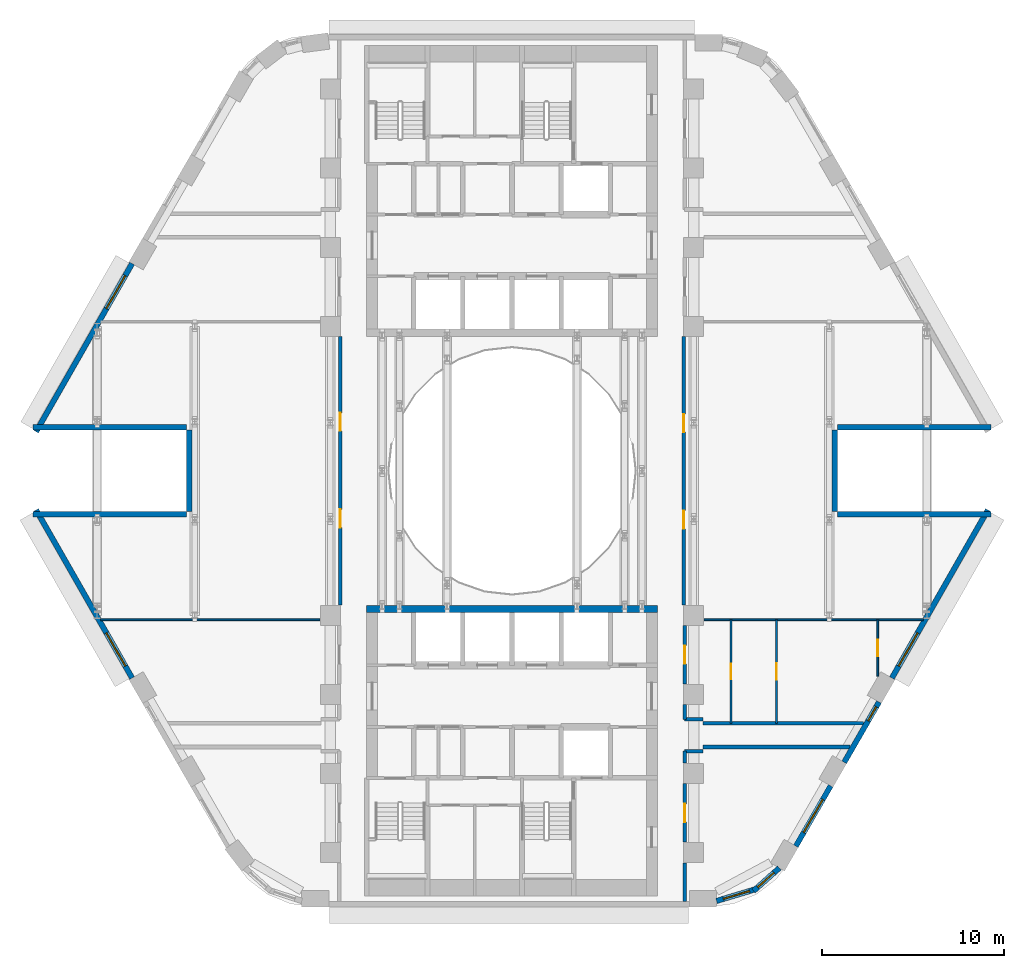
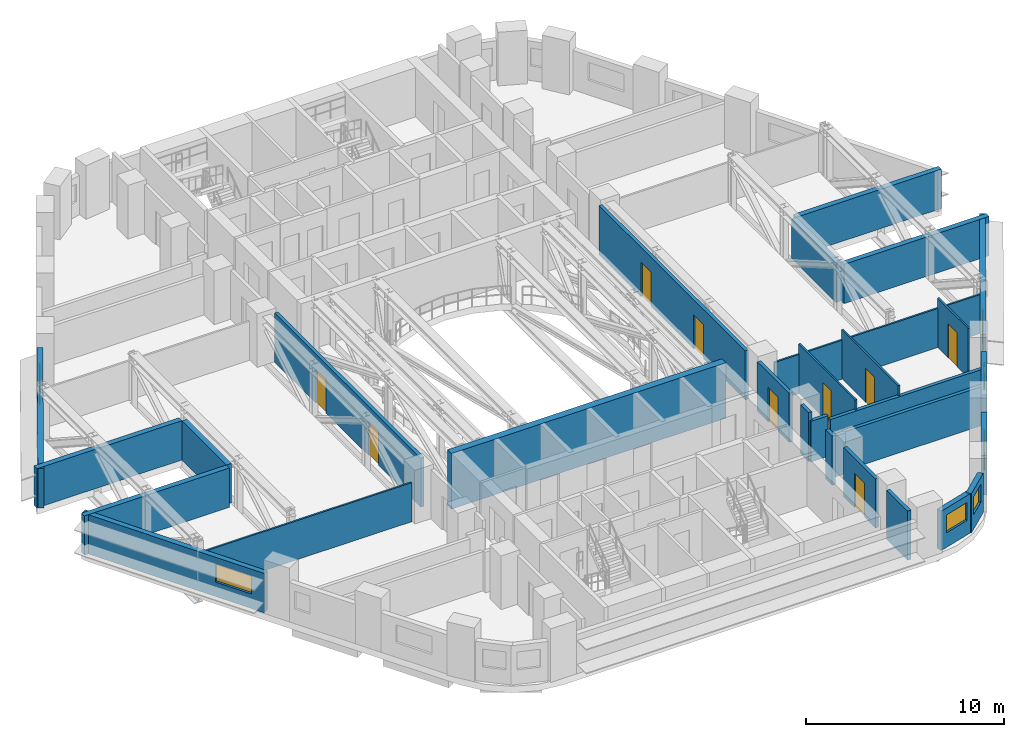
# One storey, part 8 of 18: 30 walls, 9 doors, 7 windows, 16 openings.
"""IFC4 building model written with IfcOpenShell, lengths in metres."""

from ifc_helpers import new_model, si_unit, direction, frame, frame_2d, origin, place, context, subcontext, project, spatial, rectangle, extrude, material, layer, layer_set, type_object, element, fill, save


model = new_model("IFC4")

# Units and contexts
model_context = context("Model", 3, precision=1e-05, world=origin(), true_north=direction((0.0, 1.0)))
body_context = subcontext(model_context, "Body", "Model", "MODEL_VIEW")
ifc_project = project(units=[si_unit("LENGTHUNIT", "METRE"), si_unit("AREAUNIT", "SQUARE_METRE"), si_unit("VOLUMEUNIT", "CUBIC_METRE"), si_unit("PLANEANGLEUNIT", "RADIAN"), si_unit("MASSUNIT", "GRAM", prefix="KILO")], contexts=[model_context])

# Site, building, storey
site_placement = place(None, origin())
site = spatial("IfcSite", under=ifc_project, at=site_placement, CompositionType="ELEMENT")
building_placement = place(site_placement, origin())
building = spatial("IfcBuilding", under=site, at=building_placement, Name="Nakaniwa Court", CompositionType="ELEMENT")
storey_placement = place(building_placement, frame((0.0, 0.0, 38.10009765625)))
storey = spatial("IfcBuildingStorey", under=building, at=storey_placement, Name="L09", CompositionType="ELEMENT", Elevation=38.10009765625)

# Wall
ifc_material_1 = material(Name="Acoustic double stud partition")
ifc_layer_1 = layer(ifc_material_1, 0.199951171875)
ifc_layer_set_1 = layer_set([ifc_layer_1], Name="Acoustic double stud partition")
wall_type_1 = type_object("IfcWallType", Name="Acoustic double stud partition 200", PredefinedType="PARTITIONING", material=ifc_layer_set_1)
wall_1_placement = place(storey_placement, frame((89.5, 56.300048828125, 0.0), z_axis=(0.0, 0.0, 1.0), x_axis=(0.0, 1.0, 0.0)))
element("IfcWall", 1, at=wall_1_placement, inside=storey, type_object=wall_type_1, Name="Partition PW-069", PredefinedType="PARTITIONING", context=body_context, shape_type="SweptSolid", body=[
    extrude(rectangle(XDim=2.133056640625, YDim=0.199951171875, at=frame_2d((1.06640625, 0.0))), origin(), (0.0, 0.0, 1.0), 3.02490234375),
])

# Wall, opening, door
wall_2_placement = place(storey_placement, frame((89.5, 62.782958984375, 0.0), z_axis=(0.0, 0.0, 1.0), x_axis=(0.0, -1.0, 0.0)))
wall_2 = element("IfcWall", 2, at=wall_2_placement, inside=storey, type_object=wall_type_1, Name="Partition PW-070", PredefinedType="PARTITIONING", context=body_context, shape_type="SweptSolid", body=[
    extrude(rectangle(XDim=3.216064453125, YDim=0.199951171875, at=frame_2d((1.60791015625, 0.0))), origin(), (0.0, 0.0, 1.0), 3.02490234375),
])
opening_1_placement = place(wall_2_placement, frame((1.10791015625, 0.0, 0.0)))
opening_1 = element("IfcOpeningElement", 3, at=opening_1_placement, cuts=wall_2, Name="Opening D-02-02", PredefinedType="OPENING", context=body_context, shape_type="SweptSolid", body=[
    extrude(rectangle(XDim=1.0, YDim=2.10009765625, at=frame_2d((0.5, 1.050048828125))), frame((0.0, 0.10986328125, 0.0), z_axis=(0.0, -1.0, 0.0), x_axis=(1.0, 0.0, 0.0)), (0.0, 0.0, 1.0), 0.219970703125),
])
ifc_material_2 = material(Name="Solid core timber door set, black veneer", Category="wood")
door_type_1 = type_object("IfcDoorType", Name="Internal door 1000", OperationType="NOTDEFINED", PredefinedType="DOOR", material=ifc_material_2)
door_1_placement = place(opening_1_placement, origin())
door_1 = element("IfcDoor", 4, at=door_1_placement, inside=storey, type_object=door_type_1, Name="Door D-02-02 L09-032", OperationType="SINGLE_SWING_LEFT", OverallHeight=2.10009765625, OverallWidth=1.0, PredefinedType="DOOR", context=body_context, shape_type="SweptSolid", body=[
    extrude(rectangle(XDim=1.0, YDim=2.10009765625, at=frame_2d((0.5, 1.050048828125))), frame((0.0, 0.02490234375, 0.0), z_axis=(0.0, -1.0, 0.0), x_axis=(1.0, 0.0, 0.0)), (0.0, 0.0, 1.0), 0.050048828125),
])
fill(opening_1, door_1)

# Walls
wall_3_placement = place(storey_placement, frame((89.5, 63.9169921875, 0.0), z_axis=(0.0, 0.0, 1.0), x_axis=(0.0, 1.0, 0.0)))
element("IfcWall", 5, at=wall_3_placement, inside=storey, type_object=wall_type_1, Name="Partition PW-071", PredefinedType="PARTITIONING", context=body_context, shape_type="SweptSolid", body=[
    extrude(rectangle(XDim=0.660888671875, YDim=0.199951171875, at=frame_2d((0.33056640625, 0.0))), origin(), (0.0, 0.0, 1.0), 3.02490234375),
])
wall_4_placement = place(storey_placement, frame((89.5, 66.322021484375, 0.0), z_axis=(0.0, 0.0, 1.0), x_axis=(0.0, 1.0, 0.0)))
element("IfcWall", 6, at=wall_4_placement, inside=storey, type_object=wall_type_1, Name="Partition PW-072", PredefinedType="PARTITIONING", context=body_context, shape_type="SweptSolid", body=[
    extrude(rectangle(XDim=0.81103515625, YDim=0.199951171875, at=frame_2d((0.405517578125, 0.0))), origin(), (0.0, 0.0, 1.0), 3.02490234375),
])

# Wall, opening, door
wall_5_placement = place(storey_placement, frame((89.5, 71.48291015625, 0.0), z_axis=(0.0, 0.0, 1.0), x_axis=(0.0, -1.0, 0.0)))
wall_5 = element("IfcWall", 7, at=wall_5_placement, inside=storey, type_object=wall_type_1, Name="Partition PW-073", PredefinedType="PARTITIONING", context=body_context, shape_type="SweptSolid", body=[
    extrude(rectangle(XDim=3.2158203125, YDim=0.199951171875, at=frame_2d((1.60791015625, 0.0))), origin(), (0.0, 0.0, 1.0), 3.02490234375),
])
opening_2_placement = place(wall_5_placement, frame((1.10791015625, 0.0, 0.0)))
opening_2 = element("IfcOpeningElement", 8, at=opening_2_placement, cuts=wall_5, Name="Opening D-01-01", PredefinedType="OPENING", context=body_context, shape_type="SweptSolid", body=[
    extrude(rectangle(XDim=1.0, YDim=2.10009765625, at=frame_2d((0.5, 1.050048828125))), frame((0.0, 0.10986328125, 0.0), z_axis=(0.0, -1.0, 0.0), x_axis=(1.0, 0.0, 0.0)), (0.0, 0.0, 1.0), 0.219970703125),
])
door_type_2 = type_object("IfcDoorType", Name="Flat entrance door 1000", OperationType="NOTDEFINED", PredefinedType="DOOR", material=ifc_material_2)
door_2_placement = place(opening_2_placement, origin())
door_2 = element("IfcDoor", 9, at=door_2_placement, inside=storey, type_object=door_type_2, Name="Door D-01-01 L09-027", OperationType="SINGLE_SWING_RIGHT", OverallHeight=2.10009765625, OverallWidth=1.0, PredefinedType="DOOR", context=body_context, shape_type="SweptSolid", body=[
    extrude(rectangle(XDim=1.0, YDim=2.10009765625, at=frame_2d((0.5, 1.050048828125))), frame((0.0, 0.02490234375, 0.0), z_axis=(0.0, -1.0, 0.0), x_axis=(1.0, 0.0, 0.0)), (0.0, 0.0, 1.0), 0.050048828125),
])
fill(opening_2, door_2)

# Wall, openings, doors
wall_6_placement = place(storey_placement, frame((89.449951171875, 87.383056640625, 0.0), z_axis=(0.0, 0.0, 1.0), x_axis=(0.0, -1.0, 0.0)))
wall_6 = element("IfcWall", 10, at=wall_6_placement, inside=storey, type_object=wall_type_1, Name="Partition PW-078", PredefinedType="PARTITIONING", context=body_context, shape_type="SweptSolid", body=[
    extrude(rectangle(XDim=14.76611328125, YDim=0.199951171875, at=frame_2d((7.383056640625, 0.0))), origin(), (0.0, 0.0, 1.0), 3.02490234375),
])
opening_3_placement = place(wall_6_placement, frame((9.574951171875, 0.0, 0.0)))
opening_3 = element("IfcOpeningElement", 11, at=opening_3_placement, cuts=wall_6, Name="Opening D-23-03", PredefinedType="OPENING", context=body_context, shape_type="SweptSolid", body=[
    extrude(rectangle(XDim=1.0, YDim=2.10009765625, at=frame_2d((0.5, 1.050048828125))), frame((0.0, 0.10986328125, 0.0), z_axis=(0.0, -1.0, 0.0), x_axis=(1.0, 0.0, 0.0)), (0.0, 0.0, 1.0), 0.219970703125),
])
opening_4_placement = place(wall_6_placement, frame((4.258056640625, 0.0, 0.0)))
opening_4 = element("IfcOpeningElement", 12, at=opening_4_placement, cuts=wall_6, Name="Opening D-23-04", PredefinedType="OPENING", context=body_context, shape_type="SweptSolid", body=[
    extrude(rectangle(XDim=1.0, YDim=2.10009765625, at=frame_2d((0.5, 1.050048828125))), frame((0.0, 0.10986328125, 0.0), z_axis=(0.0, -1.0, 0.0), x_axis=(1.0, 0.0, 0.0)), (0.0, 0.0, 1.0), 0.219970703125),
])
ifc_material_3 = material(Name="Fire rated steel door set", Category="steel")
door_type_3 = type_object("IfcDoorType", Name="Service room door 1000", OperationType="NOTDEFINED", PredefinedType="DOOR", material=ifc_material_3)
door_3_placement = place(opening_3_placement, origin())
door_3 = element("IfcDoor", 13, at=door_3_placement, inside=storey, type_object=door_type_3, Name="Door D-23-03 L09-038", OperationType="SINGLE_SWING_LEFT", OverallHeight=2.10009765625, OverallWidth=1.0, PredefinedType="DOOR", context=body_context, shape_type="SweptSolid", body=[
    extrude(rectangle(XDim=1.0, YDim=2.10009765625, at=frame_2d((0.5, 1.050048828125))), frame((0.0, 0.02490234375, 0.0), z_axis=(0.0, -1.0, 0.0), x_axis=(1.0, 0.0, 0.0)), (0.0, 0.0, 1.0), 0.050048828125),
])
fill(opening_3, door_3)
door_4_placement = place(opening_4_placement, origin())
door_4 = element("IfcDoor", 14, at=door_4_placement, inside=storey, type_object=door_type_3, Name="Door D-23-04 L09-039", OperationType="SINGLE_SWING_RIGHT", OverallHeight=2.10009765625, OverallWidth=1.0, PredefinedType="DOOR", context=body_context, shape_type="SweptSolid", body=[
    extrude(rectangle(XDim=1.0, YDim=2.10009765625, at=frame_2d((0.5, 1.050048828125))), frame((0.0, 0.02490234375, 0.0), z_axis=(0.0, -1.0, 0.0), x_axis=(1.0, 0.0, 0.0)), (0.0, 0.0, 1.0), 0.050048828125),
])
fill(opening_4, door_4)

# Walls
wall_7_placement = place(storey_placement, frame((89.5, 66.324951171875, 0.0), z_axis=(0.0, 0.0, 1.0), x_axis=(1.0, 0.0, 0.0)))
element("IfcWall", 15, at=wall_7_placement, inside=storey, type_object=wall_type_1, Name="Partition PW-086", PredefinedType="PARTITIONING", context=body_context, shape_type="SweptSolid", body=[
    extrude(rectangle(XDim=1.0, YDim=0.199951171875, at=frame_2d((0.5, 0.0))), origin(), (0.0, 0.0, 1.0), 2.5048828125),
])
wall_8_placement = place(storey_placement, frame((90.5, 66.10009765625, 0.0), z_axis=(0.0, 0.0, 1.0), x_axis=(1.0, 0.0, 0.0)))
element("IfcWall", 16, at=wall_8_placement, inside=storey, type_object=wall_type_1, Name="Partition PW-088", PredefinedType="PARTITIONING", context=body_context, shape_type="SweptSolid", body=[
    extrude(rectangle(XDim=8.84130859375, YDim=0.199951171875, at=frame_2d((4.420654296875, 0.0))), origin(), (0.0, 0.0, 1.0), 2.40478515625),
])
wall_9_placement = place(storey_placement, frame((90.5, 64.800048828125, 0.0), z_axis=(0.0, 0.0, 1.0), x_axis=(1.0, 0.0, 0.0)))
element("IfcWall", 17, at=wall_9_placement, inside=storey, type_object=wall_type_1, Name="Partition PW-090", PredefinedType="PARTITIONING", context=body_context, shape_type="SweptSolid", body=[
    extrude(rectangle(XDim=8.0908203125, YDim=0.199951171875, at=frame_2d((4.04541015625, 0.0))), origin(), (0.0, 0.0, 1.0), 2.40478515625),
])
wall_10_placement = place(storey_placement, frame((89.5, 64.574951171875, 0.0), z_axis=(0.0, 0.0, 1.0), x_axis=(1.0, 0.0, 0.0)))
element("IfcWall", 18, at=wall_10_placement, inside=storey, type_object=wall_type_1, Name="Partition PW-092", PredefinedType="PARTITIONING", context=body_context, shape_type="SweptSolid", body=[
    extrude(rectangle(XDim=1.0, YDim=0.199951171875, at=frame_2d((0.5, 0.0))), origin(), (0.0, 0.0, 1.0), 2.5048828125),
])

# Wall, openings, doors
wall_11_placement = place(storey_placement, frame((70.550048828125, 72.616943359375, 0.0), z_axis=(0.0, 0.0, 1.0), x_axis=(0.0, 1.0, 0.0)))
wall_11 = element("IfcWall", 19, at=wall_11_placement, inside=storey, type_object=wall_type_1, Name="Partition PW-102", PredefinedType="PARTITIONING", context=body_context, shape_type="SweptSolid", body=[
    extrude(rectangle(XDim=14.76611328125, YDim=0.199951171875, at=frame_2d((7.383056640625, 0.0))), origin(), (0.0, 0.0, 1.0), 3.02490234375),
])
opening_5_placement = place(wall_11_placement, frame((9.574951171875, 0.0, 0.0)))
opening_5 = element("IfcOpeningElement", 20, at=opening_5_placement, cuts=wall_11, Name="Opening D-23-05", PredefinedType="OPENING", context=body_context, shape_type="SweptSolid", body=[
    extrude(rectangle(XDim=1.0, YDim=2.10009765625, at=frame_2d((0.5, 1.050048828125))), frame((0.0, 0.10986328125, 0.0), z_axis=(0.0, -1.0, 0.0), x_axis=(1.0, 0.0, 0.0)), (0.0, 0.0, 1.0), 0.219970703125),
])
opening_6_placement = place(wall_11_placement, frame((4.258056640625, 0.0, 0.0)))
opening_6 = element("IfcOpeningElement", 21, at=opening_6_placement, cuts=wall_11, Name="Opening D-23-06", PredefinedType="OPENING", context=body_context, shape_type="SweptSolid", body=[
    extrude(rectangle(XDim=1.0, YDim=2.10009765625, at=frame_2d((0.5, 1.050048828125))), frame((0.0, 0.10986328125, 0.0), z_axis=(0.0, -1.0, 0.0), x_axis=(1.0, 0.0, 0.0)), (0.0, 0.0, 1.0), 0.219970703125),
])
door_5_placement = place(opening_5_placement, origin())
door_5 = element("IfcDoor", 22, at=door_5_placement, inside=storey, type_object=door_type_3, Name="Door D-23-05 L09-040", OperationType="SINGLE_SWING_LEFT", OverallHeight=2.10009765625, OverallWidth=1.0, PredefinedType="DOOR", context=body_context, shape_type="SweptSolid", body=[
    extrude(rectangle(XDim=1.0, YDim=2.10009765625, at=frame_2d((0.5, 1.050048828125))), frame((0.0, 0.02490234375, 0.0), z_axis=(0.0, -1.0, 0.0), x_axis=(1.0, 0.0, 0.0)), (0.0, 0.0, 1.0), 0.050048828125),
])
fill(opening_5, door_5)
door_6_placement = place(opening_6_placement, origin())
door_6 = element("IfcDoor", 23, at=door_6_placement, inside=storey, type_object=door_type_3, Name="Door D-23-06 L09-041", OperationType="SINGLE_SWING_RIGHT", OverallHeight=2.10009765625, OverallWidth=1.0, PredefinedType="DOOR", context=body_context, shape_type="SweptSolid", body=[
    extrude(rectangle(XDim=1.0, YDim=2.10009765625, at=frame_2d((0.5, 1.050048828125))), frame((0.0, 0.02490234375, 0.0), z_axis=(0.0, -1.0, 0.0), x_axis=(1.0, 0.0, 0.0)), (0.0, 0.0, 1.0), 0.050048828125),
])
fill(opening_6, door_6)

# Wall, opening, window
ifc_material_4 = material(Name="Charcoal ceramic cladding")
ifc_layer_2 = layer(ifc_material_4, 0.02, Name="Ceramic cladding")
ifc_material_5 = material(Name="Ventilated air cavity")
ifc_layer_3 = layer(ifc_material_5, 0.04, ventilated=True, Name="Ventilated cavity")
ifc_material_6 = material(Name="Mineral wool insulation")
ifc_layer_4 = layer(ifc_material_6, 0.1, Name="Insulation")
ifc_material_7 = material(Name="Cement bonded sheathing board")
ifc_layer_5 = layer(ifc_material_7, 0.012, Name="Sheathing")
ifc_material_8 = material(Name="Cold-formed galvanised stud frame with mineral wool infill")
ifc_layer_6 = layer(ifc_material_8, 0.1, Name="Stud frame")
ifc_material_9 = material(Name="Fire-rated gypsum plasterboard lining")
ifc_layer_7 = layer(ifc_material_9, 0.028, Name="Lining")
ifc_layer_set_2 = layer_set([ifc_layer_2, ifc_layer_3, ifc_layer_4, ifc_layer_5, ifc_layer_6, ifc_layer_7], Name="Charcoal ceramic faced external wall system")
wall_type_2 = type_object("IfcWallType", Name="Black ceramic faced external wall 300", PredefinedType="SOLIDWALL", material=ifc_layer_set_2)
wall_12_placement = place(storey_placement, frame((59.10009765625, 91.40478515625, 0.0), z_axis=(0.0, 0.0, 1.0), x_axis=(-0.49599088679, -0.868327726277, 0.0)))
wall_12 = element("IfcWall", 24, at=wall_12_placement, inside=storey, type_object=wall_type_2, Name="L09 external wall 09", PredefinedType="SOLIDWALL", context=body_context, shape_type="SweptSolid", body=[
    extrude(rectangle(XDim=10.65576171875, YDim=0.300048828125, at=frame_2d((5.327880859375, 0.0))), origin(), (0.0, 0.0, 1.0), 2.4248046875),
])
opening_7_placement = place(wall_12_placement, frame((0.759033203125, 0.0, 0.89990234375)))
opening_7 = element("IfcOpeningElement", 25, at=opening_7_placement, cuts=wall_12, Name="Opening W7.09", PredefinedType="OPENING", context=body_context, shape_type="SweptSolid", body=[
    extrude(rectangle(XDim=2.10009765625, YDim=1.10009765625, at=frame_2d((1.050048828125, 0.550048828125))), frame((0.0, 0.159912109375, 0.0), z_axis=(0.0, -1.0, 0.0), x_axis=(1.0, 0.0, 0.0)), (0.0, 0.0, 1.0), 0.320068359375),
])
ifc_material_10 = material(Name="Black anodised aluminium frame with dark low-E laminated double glazing", Category="aluminium")
window_type_1 = type_object("IfcWindowType", Name="Dark glass window 2100x1100 sill 900", PartitioningType="SINGLE_PANEL", PredefinedType="WINDOW", material=ifc_material_10)
window_1_placement = place(opening_7_placement, origin())
window_1 = element("IfcWindow", 26, at=window_1_placement, inside=storey, type_object=window_type_1, Name="L09 habitable room window 09-0", OverallHeight=1.10009765625, OverallWidth=2.10009765625, PartitioningType="SINGLE_PANEL", PredefinedType="WINDOW", context=body_context, shape_type="SweptSolid", body=[
    extrude(rectangle(XDim=2.10009765625, YDim=1.10009765625, at=frame_2d((1.050048828125, 0.550048828125))), frame((0.0, 0.030029296875, 0.0), z_axis=(0.0, -1.0, 0.0), x_axis=(1.0, 0.0, 0.0)), (0.0, 0.0, 1.0), 0.06005859375),
])
fill(opening_7, window_1)

# Walls
wall_13_placement = place(storey_placement, frame((53.643310546875, 82.39990234375, 0.0), z_axis=(0.0, 0.0, 1.0), x_axis=(1.0, 0.0, 0.0)))
element("IfcWall", 27, at=wall_13_placement, inside=storey, type_object=wall_type_2, Name="L09 external wall 10", PredefinedType="SOLIDWALL", context=body_context, shape_type="SweptSolid", body=[
    extrude(rectangle(XDim=8.4482421875, YDim=0.300048828125, at=frame_2d((4.22412109375, 0.0))), origin(), (0.0, 0.0, 1.0), 2.4248046875),
])
wall_14_placement = place(storey_placement, frame((62.24169921875, 82.25, 0.0), z_axis=(0.0, 0.0, 1.0), x_axis=(0.0, -1.0, 0.0)))
element("IfcWall", 28, at=wall_14_placement, inside=storey, type_object=wall_type_2, Name="L09 external wall 11", PredefinedType="SOLIDWALL", context=body_context, shape_type="SweptSolid", body=[
    extrude(rectangle(XDim=4.5, YDim=0.300048828125, at=frame_2d((2.25, 0.0))), origin(), (0.0, 0.0, 1.0), 2.4248046875),
])
wall_15_placement = place(storey_placement, frame((62.091552734375, 77.60009765625, 0.0), z_axis=(0.0, 0.0, 1.0), x_axis=(-1.0, 0.0, 0.0)))
element("IfcWall", 29, at=wall_15_placement, inside=storey, type_object=wall_type_2, Name="L09 external wall 12", PredefinedType="SOLIDWALL", context=body_context, shape_type="SweptSolid", body=[
    extrude(rectangle(XDim=8.4482421875, YDim=0.300048828125, at=frame_2d((4.22412109375, 0.0))), origin(), (0.0, 0.0, 1.0), 2.4248046875),
])

# Wall, opening, window
wall_16_placement = place(storey_placement, frame((53.81494140625, 77.847900390625, 0.0), z_axis=(0.0, 0.0, 1.0), x_axis=(0.49599088679, -0.868327726277, 0.0)))
wall_16 = element("IfcWall", 30, at=wall_16_placement, inside=storey, type_object=wall_type_2, Name="L09 external wall 13", PredefinedType="SOLIDWALL", context=body_context, shape_type="SweptSolid", body=[
    extrude(rectangle(XDim=10.65576171875, YDim=0.300048828125, at=frame_2d((5.327880859375, 0.0))), origin(), (0.0, 0.0, 1.0), 2.4248046875),
])
opening_8_placement = place(wall_16_placement, frame((7.796630859375, 0.0, 0.89990234375)))
opening_8 = element("IfcOpeningElement", 31, at=opening_8_placement, cuts=wall_16, Name="Opening W7.10", PredefinedType="OPENING", context=body_context, shape_type="SweptSolid", body=[
    extrude(rectangle(XDim=2.10009765625, YDim=1.10009765625, at=frame_2d((1.050048828125, 0.550048828125))), frame((0.0, 0.159912109375, 0.0), z_axis=(0.0, -1.0, 0.0), x_axis=(1.0, 0.0, 0.0)), (0.0, 0.0, 1.0), 0.320068359375),
])
window_2_placement = place(opening_8_placement, origin())
window_2 = element("IfcWindow", 32, at=window_2_placement, inside=storey, type_object=window_type_1, Name="L09 habitable room window 13-1", OverallHeight=1.10009765625, OverallWidth=2.10009765625, PartitioningType="SINGLE_PANEL", PredefinedType="WINDOW", context=body_context, shape_type="SweptSolid", body=[
    extrude(rectangle(XDim=2.10009765625, YDim=1.10009765625, at=frame_2d((1.050048828125, 0.550048828125))), frame((0.0, 0.030029296875, 0.0), z_axis=(0.0, -1.0, 0.0), x_axis=(1.0, 0.0, 0.0)), (0.0, 0.0, 1.0), 0.06005859375),
])
fill(opening_8, window_2)

wall_17_placement = place(storey_placement, frame((91.25341796875, 56.331298828125, 0.0), z_axis=(0.0, 0.0, 1.0), x_axis=(0.957433631901, 0.288653495569, 0.0)))
wall_17 = element("IfcWall", 33, at=wall_17_placement, inside=storey, type_object=wall_type_2, Name="L09 external wall 19", PredefinedType="SOLIDWALL", context=body_context, shape_type="SweptSolid", body=[
    extrude(rectangle(XDim=2.212646484375, YDim=0.300048828125, at=frame_2d((1.1064453125, 0.0))), origin(), (0.0, 0.0, 1.0), 2.4248046875),
])
opening_9_placement = place(wall_17_placement, frame((0.394287109375, 0.0, 0.89990234375)))
opening_9 = element("IfcOpeningElement", 34, at=opening_9_placement, cuts=wall_17, Name="Opening W5.15", PredefinedType="OPENING", context=body_context, shape_type="SweptSolid", body=[
    extrude(rectangle(XDim=1.5, YDim=1.10009765625, at=frame_2d((0.75, 0.550048828125))), frame((0.0, 0.159912109375, 0.0), z_axis=(0.0, -1.0, 0.0), x_axis=(1.0, 0.0, 0.0)), (0.0, 0.0, 1.0), 0.320068359375),
])
window_type_2 = type_object("IfcWindowType", Name="Dark glass window 1500x1100 sill 900", PartitioningType="SINGLE_PANEL", PredefinedType="WINDOW", material=ifc_material_10)
window_3_placement = place(opening_9_placement, origin())
window_3 = element("IfcWindow", 35, at=window_3_placement, inside=storey, type_object=window_type_2, Name="L09 habitable room window 19-0", OverallHeight=1.10009765625, OverallWidth=1.5, PartitioningType="SINGLE_PANEL", PredefinedType="WINDOW", context=body_context, shape_type="SweptSolid", body=[
    extrude(rectangle(XDim=1.5, YDim=1.10009765625, at=frame_2d((0.75, 0.550048828125))), frame((0.0, 0.030029296875, 0.0), z_axis=(0.0, -1.0, 0.0), x_axis=(1.0, 0.0, 0.0)), (0.0, 0.0, 1.0), 0.06005859375),
])
fill(opening_9, window_3)

wall_18_placement = place(storey_placement, frame((93.288818359375, 56.882568359375, 0.0), z_axis=(0.0, 0.0, 1.0), x_axis=(0.746941556212, 0.664889698825, 0.0)))
wall_18 = element("IfcWall", 36, at=wall_18_placement, inside=storey, type_object=wall_type_2, Name="L09 external wall 20", PredefinedType="SOLIDWALL", context=body_context, shape_type="SweptSolid", body=[
    extrude(rectangle(XDim=1.9013671875, YDim=0.300048828125, at=frame_2d((0.95068359375, 0.0))), origin(), (0.0, 0.0, 1.0), 2.4248046875),
])
opening_10_placement = place(wall_18_placement, frame((0.31005859375, 0.0, 0.89990234375)))
opening_10 = element("IfcOpeningElement", 37, at=opening_10_placement, cuts=wall_18, Name="Opening W6.16", PredefinedType="OPENING", context=body_context, shape_type="SweptSolid", body=[
    extrude(rectangle(XDim=1.199951171875, YDim=1.10009765625, at=frame_2d((0.60009765625, 0.550048828125))), frame((0.0, 0.159912109375, 0.0), z_axis=(0.0, -1.0, 0.0), x_axis=(1.0, 0.0, 0.0)), (0.0, 0.0, 1.0), 0.320068359375),
])
window_type_3 = type_object("IfcWindowType", Name="Dark glass window 1200x1100 sill 900", PartitioningType="SINGLE_PANEL", PredefinedType="WINDOW", material=ifc_material_10)
window_4_placement = place(opening_10_placement, origin())
window_4 = element("IfcWindow", 38, at=window_4_placement, inside=storey, type_object=window_type_3, Name="L09 habitable room window 20-0", OverallHeight=1.10009765625, OverallWidth=1.199951171875, PartitioningType="SINGLE_PANEL", PredefinedType="WINDOW", context=body_context, shape_type="SweptSolid", body=[
    extrude(rectangle(XDim=1.199951171875, YDim=1.10009765625, at=frame_2d((0.60009765625, 0.550048828125))), frame((0.0, 0.030029296875, 0.0), z_axis=(0.0, -1.0, 0.0), x_axis=(1.0, 0.0, 0.0)), (0.0, 0.0, 1.0), 0.06005859375),
])
fill(opening_10, window_4)

wall_19_placement = place(storey_placement, frame((95.615234375, 59.346435546875, 0.0), z_axis=(0.0, 0.0, 1.0), x_axis=(0.499974163209, 0.866040320149, 0.0)))
wall_19 = element("IfcWall", 39, at=wall_19_placement, inside=storey, type_object=wall_type_2, Name="L09 external wall 21", PredefinedType="SOLIDWALL", context=body_context, shape_type="SweptSolid", body=[
    extrude(rectangle(XDim=3.834228515625, YDim=0.300048828125, at=frame_2d((1.9169921875, 0.0))), origin(), (0.0, 0.0, 1.0), 2.4248046875),
])
opening_11_placement = place(wall_19_placement, frame((0.866943359375, 0.0, 0.89990234375)))
opening_11 = element("IfcOpeningElement", 40, at=opening_11_placement, cuts=wall_19, Name="Opening W7.17", PredefinedType="OPENING", context=body_context, shape_type="SweptSolid", body=[
    extrude(rectangle(XDim=2.10009765625, YDim=1.10009765625, at=frame_2d((1.050048828125, 0.550048828125))), frame((0.0, 0.159912109375, 0.0), z_axis=(0.0, -1.0, 0.0), x_axis=(1.0, 0.0, 0.0)), (0.0, 0.0, 1.0), 0.320068359375),
])
window_5_placement = place(opening_11_placement, origin())
window_5 = element("IfcWindow", 41, at=window_5_placement, inside=storey, type_object=window_type_1, Name="L09 habitable room window 21-0", OverallHeight=1.10009765625, OverallWidth=2.10009765625, PartitioningType="SINGLE_PANEL", PredefinedType="WINDOW", context=body_context, shape_type="SweptSolid", body=[
    extrude(rectangle(XDim=2.10009765625, YDim=1.10009765625, at=frame_2d((1.050048828125, 0.550048828125))), frame((0.0, 0.030029296875, 0.0), z_axis=(0.0, -1.0, 0.0), x_axis=(1.0, 0.0, 0.0)), (0.0, 0.0, 1.0), 0.06005859375),
])
fill(opening_11, window_5)

wall_20_placement = place(storey_placement, frame((98.2783203125, 63.958984375, 0.0), z_axis=(0.0, 0.0, 1.0), x_axis=(0.500001735503, 0.866024401789, 0.0)))
wall_20 = element("IfcWall", 42, at=wall_20_placement, inside=storey, type_object=wall_type_2, Name="L09 external wall 22", PredefinedType="SOLIDWALL", context=body_context, shape_type="SweptSolid", body=[
    extrude(rectangle(XDim=3.833984375, YDim=0.300048828125, at=frame_2d((1.9169921875, 0.0))), origin(), (0.0, 0.0, 1.0), 2.4248046875),
])
opening_12_placement = place(wall_20_placement, frame((2.629150390625, 0.0, 0.89990234375)))
opening_12 = element("IfcOpeningElement", 43, at=opening_12_placement, cuts=wall_20, Name="Opening W9.18", PredefinedType="OPENING", context=body_context, shape_type="SweptSolid", body=[
    extrude(rectangle(XDim=0.89990234375, YDim=1.10009765625, at=frame_2d((0.449951171875, 0.550048828125))), frame((0.0, 0.159912109375, 0.0), z_axis=(0.0, -1.0, 0.0), x_axis=(1.0, 0.0, 0.0)), (0.0, 0.0, 1.0), 0.320068359375),
])
window_type_4 = type_object("IfcWindowType", Name="Dark glass window 900x1100 sill 900", PartitioningType="SINGLE_PANEL", PredefinedType="WINDOW", material=ifc_material_10)
window_6_placement = place(opening_12_placement, origin())
window_6 = element("IfcWindow", 44, at=window_6_placement, inside=storey, type_object=window_type_4, Name="L09 living window 22-2", OverallHeight=1.10009765625, OverallWidth=0.89990234375, PartitioningType="SINGLE_PANEL", PredefinedType="WINDOW", context=body_context, shape_type="SweptSolid", body=[
    extrude(rectangle(XDim=0.89990234375, YDim=1.10009765625, at=frame_2d((0.449951171875, 0.550048828125))), frame((0.0, 0.030029296875, 0.0), z_axis=(0.0, -1.0, 0.0), x_axis=(1.0, 0.0, 0.0)), (0.0, 0.0, 1.0), 0.06005859375),
])
fill(opening_12, window_6)

wall_21_placement = place(storey_placement, frame((100.89990234375, 68.59521484375, 0.0), z_axis=(0.0, 0.0, 1.0), x_axis=(0.49599088679, 0.868327726277, 0.0)))
wall_21 = element("IfcWall", 45, at=wall_21_placement, inside=storey, type_object=wall_type_2, Name="L09 external wall 23", PredefinedType="SOLIDWALL", context=body_context, shape_type="SweptSolid", body=[
    extrude(rectangle(XDim=10.65576171875, YDim=0.300048828125, at=frame_2d((5.327880859375, 0.0))), origin(), (0.0, 0.0, 1.0), 2.4248046875),
])
opening_13_placement = place(wall_21_placement, frame((0.759033203125, 0.0, 0.89990234375)))
opening_13 = element("IfcOpeningElement", 46, at=opening_13_placement, cuts=wall_21, Name="Opening W7.19", PredefinedType="OPENING", context=body_context, shape_type="SweptSolid", body=[
    extrude(rectangle(XDim=2.10009765625, YDim=1.10009765625, at=frame_2d((1.050048828125, 0.550048828125))), frame((0.0, 0.159912109375, 0.0), z_axis=(0.0, -1.0, 0.0), x_axis=(1.0, 0.0, 0.0)), (0.0, 0.0, 1.0), 0.320068359375),
])
window_7_placement = place(opening_13_placement, origin())
window_7 = element("IfcWindow", 47, at=window_7_placement, inside=storey, type_object=window_type_1, Name="L09 habitable room window 23-0", OverallHeight=1.10009765625, OverallWidth=2.10009765625, PartitioningType="SINGLE_PANEL", PredefinedType="WINDOW", context=body_context, shape_type="SweptSolid", body=[
    extrude(rectangle(XDim=2.10009765625, YDim=1.10009765625, at=frame_2d((1.050048828125, 0.550048828125))), frame((0.0, 0.030029296875, 0.0), z_axis=(0.0, -1.0, 0.0), x_axis=(1.0, 0.0, 0.0)), (0.0, 0.0, 1.0), 0.06005859375),
])
fill(opening_13, window_7)

# Walls
wall_22_placement = place(storey_placement, frame((106.356689453125, 77.60009765625, 0.0), z_axis=(0.0, 0.0, 1.0), x_axis=(-1.0, 0.0, 0.0)))
element("IfcWall", 48, at=wall_22_placement, inside=storey, type_object=wall_type_2, Name="L09 external wall 24", PredefinedType="SOLIDWALL", context=body_context, shape_type="SweptSolid", body=[
    extrude(rectangle(XDim=8.4482421875, YDim=0.300048828125, at=frame_2d((4.22412109375, 0.0))), origin(), (0.0, 0.0, 1.0), 2.4248046875),
])
wall_23_placement = place(storey_placement, frame((97.75830078125, 77.75, 0.0), z_axis=(0.0, 0.0, 1.0), x_axis=(0.0, 1.0, 0.0)))
element("IfcWall", 49, at=wall_23_placement, inside=storey, type_object=wall_type_2, Name="L09 external wall 25", PredefinedType="SOLIDWALL", context=body_context, shape_type="SweptSolid", body=[
    extrude(rectangle(XDim=4.5, YDim=0.300048828125, at=frame_2d((2.25, 0.0))), origin(), (0.0, 0.0, 1.0), 2.4248046875),
])
wall_24_placement = place(storey_placement, frame((97.908447265625, 82.39990234375, 0.0), z_axis=(0.0, 0.0, 1.0), x_axis=(1.0, 0.0, 0.0)))
element("IfcWall", 50, at=wall_24_placement, inside=storey, type_object=wall_type_2, Name="L09 external wall 26", PredefinedType="SOLIDWALL", context=body_context, shape_type="SweptSolid", body=[
    extrude(rectangle(XDim=8.4482421875, YDim=0.300048828125, at=frame_2d((4.22412109375, 0.0))), origin(), (0.0, 0.0, 1.0), 2.4248046875),
])
ifc_material_11 = material(Name="Concrete C100/115", Category="concrete")
ifc_layer_8 = layer(ifc_material_11, 0.39990234375)
ifc_layer_set_3 = layer_set([ifc_layer_8], Name="Concrete C100/115")
wall_type_3 = type_object("IfcWallType", Name="Concrete core well wall 400 C100", PredefinedType="SHEAR", material=ifc_layer_set_3)
wall_25_placement = place(storey_placement, frame((72.0, 72.39990234375, -0.400146484375), z_axis=(0.0, 0.0, 1.0), x_axis=(1.0, 0.0, 0.0)))
element("IfcWall", 51, at=wall_25_placement, inside=storey, type_object=wall_type_3, Name="Core wall SW-112", PredefinedType="SHEAR", context=body_context, shape_type="SweptSolid", body=[
    extrude(rectangle(XDim=16.0, YDim=0.39990234375, at=frame_2d((8.0, 0.0))), origin(), (0.0, 0.0, 1.0), 3.425048828125),
])

# Wall, opening, door
ifc_material_12 = material(Name="Single stud plasterboard partition")
ifc_layer_9 = layer(ifc_material_12, 0.10009765625)
ifc_layer_set_4 = layer_set([ifc_layer_9], Name="Single stud plasterboard partition")
wall_type_4 = type_object("IfcWallType", Name="Single stud plasterboard partition 100", PredefinedType="PARTITIONING", material=ifc_layer_set_4)
wall_26_placement = place(storey_placement, frame((92.050048828125, 71.800048828125, 0.0), z_axis=(0.0, 0.0, 1.0), x_axis=(0.0, -1.0, 0.0)))
wall_26 = element("IfcWall", 52, at=wall_26_placement, inside=storey, type_object=wall_type_4, Name="Partition PW-103", PredefinedType="PARTITIONING", context=body_context, shape_type="SweptSolid", body=[
    extrude(rectangle(XDim=5.699951171875, YDim=0.10009765625, at=frame_2d((2.85009765625, 0.0))), origin(), (0.0, 0.0, 1.0), 3.02490234375),
])
opening_14_placement = place(wall_26_placement, frame((2.425048828125, 0.0, 0.0)))
opening_14 = element("IfcOpeningElement", 53, at=opening_14_placement, cuts=wall_26, Name="Opening D-03-01", PredefinedType="OPENING", context=body_context, shape_type="SweptSolid", body=[
    extrude(rectangle(XDim=0.85009765625, YDim=2.10009765625, at=frame_2d((0.425048828125, 1.050048828125))), frame((0.0, 0.06005859375, 0.0), z_axis=(0.0, -1.0, 0.0), x_axis=(1.0, 0.0, 0.0)), (0.0, 0.0, 1.0), 0.1201171875),
])
ifc_material_13 = material(Name="Moisture sealed timber door set", Category="wood")
door_type_4 = type_object("IfcDoorType", Name="Bathroom door 850", OperationType="NOTDEFINED", PredefinedType="DOOR", material=ifc_material_13)
door_7_placement = place(opening_14_placement, origin())
door_7 = element("IfcDoor", 54, at=door_7_placement, inside=storey, type_object=door_type_4, Name="Door D-03-01 L09-028", OperationType="SINGLE_SWING_LEFT", OverallHeight=2.10009765625, OverallWidth=0.85009765625, PredefinedType="DOOR", context=body_context, shape_type="SweptSolid", body=[
    extrude(rectangle(XDim=0.85009765625, YDim=2.10009765625, at=frame_2d((0.425048828125, 1.050048828125))), frame((0.0, 0.02490234375, 0.0), z_axis=(0.0, -1.0, 0.0), x_axis=(1.0, 0.0, 0.0)), (0.0, 0.0, 1.0), 0.050048828125),
])
fill(opening_14, door_7)

# Walls
for number, where, z_axis, x_axis, name in (
    (55, (57.367919921875, 71.800048828125, 0.0), (0.0, 0.0, 1.0), (1.0, 0.0, 0.0), "Partition PW-104"),
    (56, (90.570068359375, 71.800048828125, 0.0), (0.0, 0.0, 1.0), (1.0, 0.0, 0.0), "Partition PW-105"),
):
    element("IfcWall", number, at=place(storey_placement, frame(where, z_axis=z_axis, x_axis=x_axis)), inside=storey, type_object=wall_type_4, Name=name, PredefinedType="PARTITIONING", context=body_context, shape_type="SweptSolid", body=[
        extrude(rectangle(XDim=12.06201171875, YDim=0.10009765625, at=frame_2d((6.031005859375, 0.0))), origin(), (0.0, 0.0, 1.0), 2.40478515625),
    ])

# Wall, opening, door
wall_27_placement = place(storey_placement, frame((94.555908203125, 71.800048828125, 0.0), z_axis=(0.0, 0.0, 1.0), x_axis=(0.0, -1.0, 0.0)))
wall_27 = element("IfcWall", 57, at=wall_27_placement, inside=storey, type_object=wall_type_4, Name="Partition PW-106", PredefinedType="PARTITIONING", context=body_context, shape_type="SweptSolid", body=[
    extrude(rectangle(XDim=5.699951171875, YDim=0.10009765625, at=frame_2d((2.85009765625, 0.0))), origin(), (0.0, 0.0, 1.0), 3.02490234375),
])
opening_15_placement = place(wall_27_placement, frame((2.39990234375, 0.0, 0.0)))
opening_15 = element("IfcOpeningElement", 58, at=opening_15_placement, cuts=wall_27, Name="Opening D-33-01", PredefinedType="OPENING", context=body_context, shape_type="SweptSolid", body=[
    extrude(rectangle(XDim=0.89990234375, YDim=2.10009765625, at=frame_2d((0.449951171875, 1.050048828125))), frame((0.0, 0.06005859375, 0.0), z_axis=(0.0, -1.0, 0.0), x_axis=(1.0, 0.0, 0.0)), (0.0, 0.0, 1.0), 0.1201171875),
])
door_type_5 = type_object("IfcDoorType", Name="Internal door 900", OperationType="NOTDEFINED", PredefinedType="DOOR", material=ifc_material_2)
door_8_placement = place(opening_15_placement, origin())
door_8 = element("IfcDoor", 59, at=door_8_placement, inside=storey, type_object=door_type_5, Name="Door D-33-01 L09-029", OperationType="SINGLE_SWING_RIGHT", OverallHeight=2.10009765625, OverallWidth=0.89990234375, PredefinedType="DOOR", context=body_context, shape_type="SweptSolid", body=[
    extrude(rectangle(XDim=0.89990234375, YDim=2.10009765625, at=frame_2d((0.449951171875, 1.050048828125))), frame((0.0, 0.02490234375, 0.0), z_axis=(0.0, -1.0, 0.0), x_axis=(1.0, 0.0, 0.0)), (0.0, 0.0, 1.0), 0.050048828125),
])
fill(opening_15, door_8)

wall_28_placement = place(storey_placement, frame((100.1259765625, 71.800048828125, 0.0), z_axis=(0.0, 0.0, 1.0), x_axis=(0.0, -1.0, 0.0)))
wall_28 = element("IfcWall", 60, at=wall_28_placement, inside=storey, type_object=wall_type_4, Name="Partition PW-107", PredefinedType="PARTITIONING", context=body_context, shape_type="SweptSolid", body=[
    extrude(rectangle(XDim=3.10107421875, YDim=0.10009765625, at=frame_2d((1.550537109375, 0.0))), origin(), (0.0, 0.0, 1.0), 3.02490234375),
])
opening_16_placement = place(wall_28_placement, frame((1.10107421875, 0.0, 0.0)))
opening_16 = element("IfcOpeningElement", 61, at=opening_16_placement, cuts=wall_28, Name="Opening D-33-02", PredefinedType="OPENING", context=body_context, shape_type="SweptSolid", body=[
    extrude(rectangle(XDim=0.89990234375, YDim=2.10009765625, at=frame_2d((0.449951171875, 1.050048828125))), frame((0.0, 0.06005859375, 0.0), z_axis=(0.0, -1.0, 0.0), x_axis=(1.0, 0.0, 0.0)), (0.0, 0.0, 1.0), 0.1201171875),
])
door_9_placement = place(opening_16_placement, origin())
door_9 = element("IfcDoor", 62, at=door_9_placement, inside=storey, type_object=door_type_5, Name="Door D-33-02 L09-030", OperationType="SINGLE_SWING_LEFT", OverallHeight=2.10009765625, OverallWidth=0.89990234375, PredefinedType="DOOR", context=body_context, shape_type="SweptSolid", body=[
    extrude(rectangle(XDim=0.89990234375, YDim=2.10009765625, at=frame_2d((0.449951171875, 1.050048828125))), frame((0.0, 0.02490234375, 0.0), z_axis=(0.0, -1.0, 0.0), x_axis=(1.0, 0.0, 0.0)), (0.0, 0.0, 1.0), 0.050048828125),
])
fill(opening_16, door_9)

save(model, "model.ifc")
